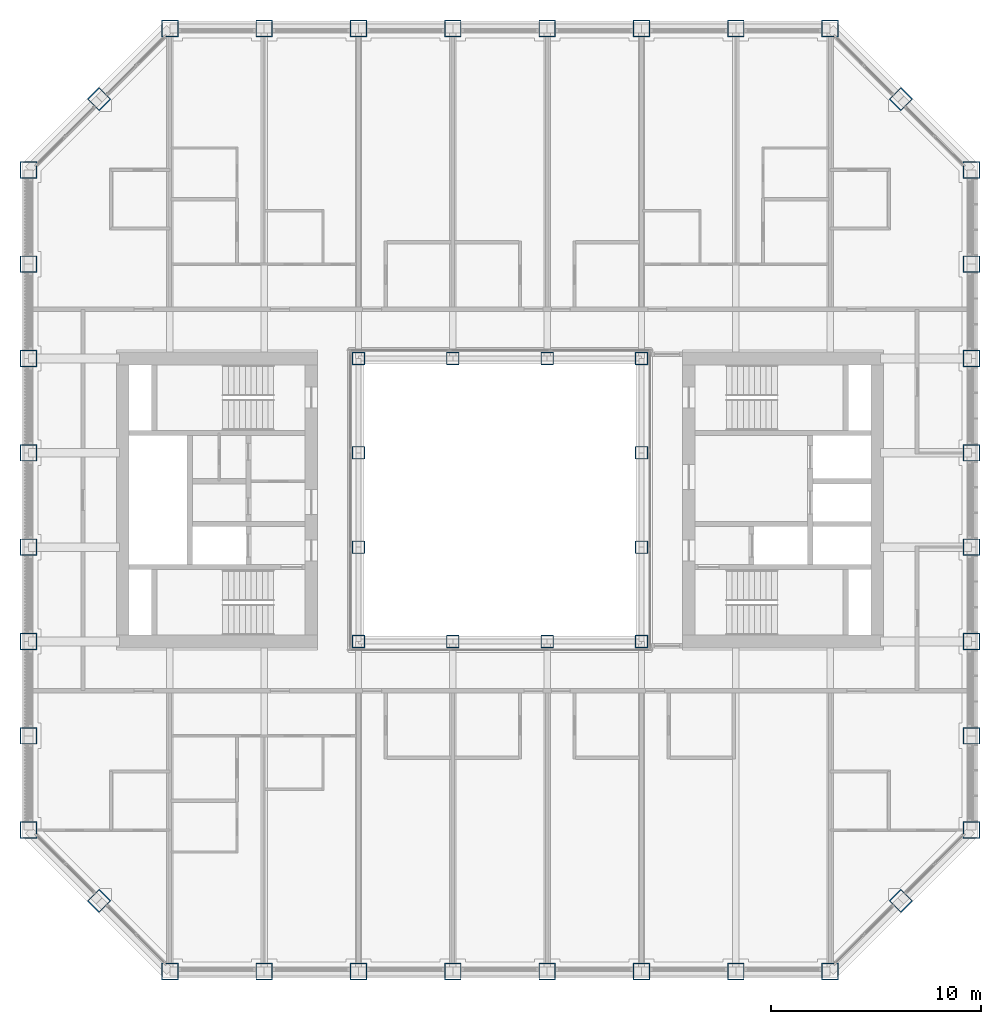
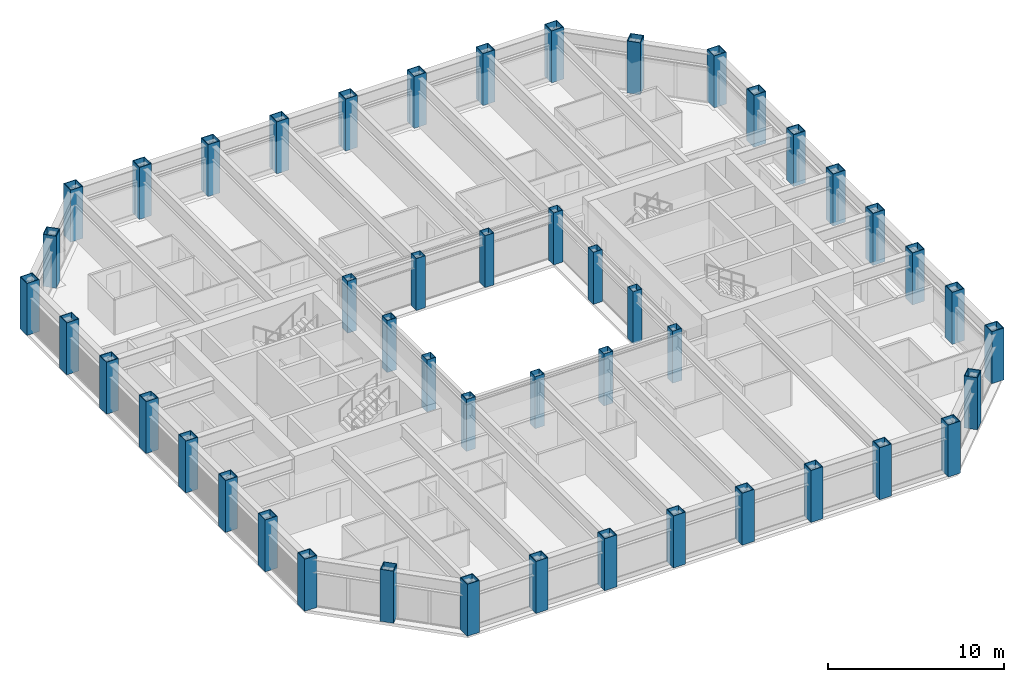
# One storey, part 1 of 18: 48 columns.
"""IFC4 building model written with IfcOpenShell, lengths in metres."""

from ifc_helpers import new_model, si_unit, direction, frame, origin, origin_2d, place, context, subcontext, project, spatial, hollow_rectangle, extrude, material, material_profile, profile_set, type_object, element, save


model = new_model("IFC4")

# Units and contexts
model_context = context("Model", 3, precision=1e-05, world=origin(), true_north=direction((0.0, 1.0)))
body_context = subcontext(model_context, "Body", "Model", "MODEL_VIEW")
ifc_project = project(units=[si_unit("LENGTHUNIT", "METRE"), si_unit("AREAUNIT", "SQUARE_METRE"), si_unit("VOLUMEUNIT", "CUBIC_METRE"), si_unit("PLANEANGLEUNIT", "RADIAN"), si_unit("MASSUNIT", "GRAM", prefix="KILO")], contexts=[model_context])

# Site, building, storey
site_placement = place(None, origin())
site = spatial("IfcSite", under=ifc_project, at=site_placement, CompositionType="ELEMENT")
building_placement = place(site_placement, origin())
building = spatial("IfcBuilding", under=site, at=building_placement, Name="Msasa Ring Tower", CompositionType="ELEMENT")
storey_placement = place(building_placement, frame((0.0, 0.0, 183.199951171875)))
storey = spatial("IfcBuildingStorey", under=building, at=storey_placement, Name="L48", CompositionType="ELEMENT", Elevation=183.199951171875)

# Columns
ifc_material_1 = material(Name="Steel S355", Category="steel")
ifc_material_profile_1 = material_profile(ifc_material_1, hollow_rectangle(XDim=0.60009765625, YDim=0.60009765625, WallThickness=0.030029296875, at=origin_2d()), Name="BOX 600x600x30")
ifc_profile_set_1 = profile_set([ifc_material_profile_1], Name="Steel S355")
column_type_1 = type_object("IfcColumnType", Name="IC5 BOX 600x600x30", PredefinedType="COLUMN", material=ifc_profile_set_1)
for number, where, z_axis, x_axis, name in (
    (1, (-6.75, -6.75, 0.0), (0.0, 0.0, 1.0), (1.0, 0.0, 0.0), "Inner ring column IR-6.75-6.75 L48"),
    (2, (-6.75, -2.25, 0.0), (0.0, 0.0, 1.0), (1.0, 0.0, 0.0), "Inner ring column IR-6.75-2.25 L48"),
    (3, (-6.75, 2.25, 0.0), (0.0, 0.0, 1.0), (1.0, 0.0, 0.0), "Inner ring column IR-6.75+2.25 L48"),
    (4, (-6.75, 6.75, 0.0), (0.0, 0.0, 1.0), (1.0, 0.0, 0.0), "Inner ring column IR-6.75+6.75 L48"),
    (5, (-2.25, -6.75, 0.0), (0.0, 0.0, 1.0), (1.0, 0.0, 0.0), "Inner ring column IR-2.25-6.75 L48"),
    (6, (-2.25, 6.75, 0.0), (0.0, 0.0, 1.0), (1.0, 0.0, 0.0), "Inner ring column IR-2.25+6.75 L48"),
    (7, (2.25, -6.75, 0.0), (0.0, 0.0, 1.0), (1.0, 0.0, 0.0), "Inner ring column IR+2.25-6.75 L48"),
    (8, (2.25, 6.75, 0.0), (0.0, 0.0, 1.0), (1.0, 0.0, 0.0), "Inner ring column IR+2.25+6.75 L48"),
    (9, (6.75, -6.75, 0.0), (0.0, 0.0, 1.0), (1.0, 0.0, 0.0), "Inner ring column IR+6.75-6.75 L48"),
    (10, (6.75, -2.25, 0.0), (0.0, 0.0, 1.0), (1.0, 0.0, 0.0), "Inner ring column IR+6.75-2.25 L48"),
    (11, (6.75, 2.25, 0.0), (0.0, 0.0, 1.0), (1.0, 0.0, 0.0), "Inner ring column IR+6.75+2.25 L48"),
    (12, (6.75, 6.75, 0.0), (0.0, 0.0, 1.0), (1.0, 0.0, 0.0), "Inner ring column IR+6.75+6.75 L48"),
):
    element("IfcColumn", number, at=place(storey_placement, frame(where, z_axis=z_axis, x_axis=x_axis)), inside=storey, type_object=column_type_1, Name=name, PredefinedType="COLUMN", context=body_context, shape_type="SweptSolid", body=[
        extrude(hollow_rectangle(XDim=0.60009765625, YDim=0.60009765625, WallThickness=0.030029296875, at=origin_2d()), origin(), (0.0, 0.0, 1.0), 3.60009765625),
    ])
ifc_material_2 = material(Name="Steel S355", Category="steel")
ifc_material_profile_2 = material_profile(ifc_material_2, hollow_rectangle(XDim=0.800048828125, YDim=0.800048828125, WallThickness=0.044921875, at=origin_2d()), Name="BOX 800x800x45")
ifc_profile_set_2 = profile_set([ifc_material_profile_2], Name="Steel S355")
column_type_2 = type_object("IfcColumnType", Name="TC5 BOX 800x800x45", PredefinedType="COLUMN", material=ifc_profile_set_2)
for number, where, z_axis, x_axis, name in (
    (13, (-15.75, -22.5, 0.0), (0.0, 0.0, 1.0), (0.0, 1.0, 0.0), "Tube column S-15.75 L48"),
    (14, (-15.75, 22.5, 0.0), (0.0, 0.0, 1.0), (0.0, 1.0, 0.0), "Tube column N-15.75 L48"),
    (15, (22.5, -15.75, 0.0), (0.0, 0.0, 1.0), (1.0, 0.0, 0.0), "Tube column E-15.75 L48"),
    (16, (-22.5, -15.75, 0.0), (0.0, 0.0, 1.0), (1.0, 0.0, 0.0), "Tube column W-15.75 L48"),
    (17, (-11.25, -22.5, 0.0), (0.0, 0.0, 1.0), (0.0, 1.0, 0.0), "Tube column S-11.25 L48"),
    (18, (-11.25, 22.5, 0.0), (0.0, 0.0, 1.0), (0.0, 1.0, 0.0), "Tube column N-11.25 L48"),
    (19, (22.5, -11.25, 0.0), (0.0, 0.0, 1.0), (1.0, 0.0, 0.0), "Tube column E-11.25 L48"),
    (20, (-22.5, -11.25, 0.0), (0.0, 0.0, 1.0), (1.0, 0.0, 0.0), "Tube column W-11.25 L48"),
    (21, (-6.75, -22.5, 0.0), (0.0, 0.0, 1.0), (0.0, 1.0, 0.0), "Tube column S-6.75 L48"),
    (22, (-6.75, 22.5, 0.0), (0.0, 0.0, 1.0), (0.0, 1.0, 0.0), "Tube column N-6.75 L48"),
    (23, (22.5, -6.75, 0.0), (0.0, 0.0, 1.0), (1.0, 0.0, 0.0), "Tube column E-6.75 L48"),
    (24, (-22.5, -6.75, 0.0), (0.0, 0.0, 1.0), (1.0, 0.0, 0.0), "Tube column W-6.75 L48"),
    (25, (-2.25, -22.5, 0.0), (0.0, 0.0, 1.0), (0.0, 1.0, 0.0), "Tube column S-2.25 L48"),
    (26, (-2.25, 22.5, 0.0), (0.0, 0.0, 1.0), (0.0, 1.0, 0.0), "Tube column N-2.25 L48"),
    (27, (22.5, -2.25, 0.0), (0.0, 0.0, 1.0), (1.0, 0.0, 0.0), "Tube column E-2.25 L48"),
    (28, (-22.5, -2.25, 0.0), (0.0, 0.0, 1.0), (1.0, 0.0, 0.0), "Tube column W-2.25 L48"),
    (29, (2.25, -22.5, 0.0), (0.0, 0.0, 1.0), (0.0, 1.0, 0.0), "Tube column S+2.25 L48"),
    (30, (2.25, 22.5, 0.0), (0.0, 0.0, 1.0), (0.0, 1.0, 0.0), "Tube column N+2.25 L48"),
    (31, (22.5, 2.25, 0.0), (0.0, 0.0, 1.0), (1.0, 0.0, 0.0), "Tube column E+2.25 L48"),
    (32, (-22.5, 2.25, 0.0), (0.0, 0.0, 1.0), (1.0, 0.0, 0.0), "Tube column W+2.25 L48"),
    (33, (6.75, -22.5, 0.0), (0.0, 0.0, 1.0), (0.0, 1.0, 0.0), "Tube column S+6.75 L48"),
    (34, (6.75, 22.5, 0.0), (0.0, 0.0, 1.0), (0.0, 1.0, 0.0), "Tube column N+6.75 L48"),
    (35, (22.5, 6.75, 0.0), (0.0, 0.0, 1.0), (1.0, 0.0, 0.0), "Tube column E+6.75 L48"),
    (36, (-22.5, 6.75, 0.0), (0.0, 0.0, 1.0), (1.0, 0.0, 0.0), "Tube column W+6.75 L48"),
    (37, (11.25, -22.5, 0.0), (0.0, 0.0, 1.0), (0.0, 1.0, 0.0), "Tube column S+11.25 L48"),
    (38, (11.25, 22.5, 0.0), (0.0, 0.0, 1.0), (0.0, 1.0, 0.0), "Tube column N+11.25 L48"),
    (39, (22.5, 11.25, 0.0), (0.0, 0.0, 1.0), (1.0, 0.0, 0.0), "Tube column E+11.25 L48"),
    (40, (-22.5, 11.25, 0.0), (0.0, 0.0, 1.0), (1.0, 0.0, 0.0), "Tube column W+11.25 L48"),
    (41, (15.75, -22.5, 0.0), (0.0, 0.0, 1.0), (0.0, 1.0, 0.0), "Tube column S+15.75 L48"),
    (42, (15.75, 22.5, 0.0), (0.0, 0.0, 1.0), (0.0, 1.0, 0.0), "Tube column N+15.75 L48"),
    (43, (22.5, 15.75, 0.0), (0.0, 0.0, 1.0), (1.0, 0.0, 0.0), "Tube column E+15.75 L48"),
    (44, (-22.5, 15.75, 0.0), (0.0, 0.0, 1.0), (1.0, 0.0, 0.0), "Tube column W+15.75 L48"),
    (45, (19.125, -19.125, 0.0), (0.0, 0.0, 1.0), (0.707106781187, -0.707106781187, 0.0), "Tube column SE L48"),
    (46, (19.125, 19.125, 0.0), (0.0, 0.0, 1.0), (0.707106781187, 0.707106781187, 0.0), "Tube column NE L48"),
    (47, (-19.125, 19.125, 0.0), (0.0, 0.0, 1.0), (0.707106781187, -0.707106781187, 0.0), "Tube column NW L48"),
    (48, (-19.125, -19.125, 0.0), (0.0, 0.0, 1.0), (0.707106781187, 0.707106781187, 0.0), "Tube column SW L48"),
):
    element("IfcColumn", number, at=place(storey_placement, frame(where, z_axis=z_axis, x_axis=x_axis)), inside=storey, type_object=column_type_2, Name=name, PredefinedType="COLUMN", context=body_context, shape_type="SweptSolid", body=[
        extrude(hollow_rectangle(XDim=0.800048828125, YDim=0.800048828125, WallThickness=0.044921875, at=origin_2d()), origin(), (0.0, 0.0, 1.0), 3.60009765625),
    ])

save(model, "model.ifc")
